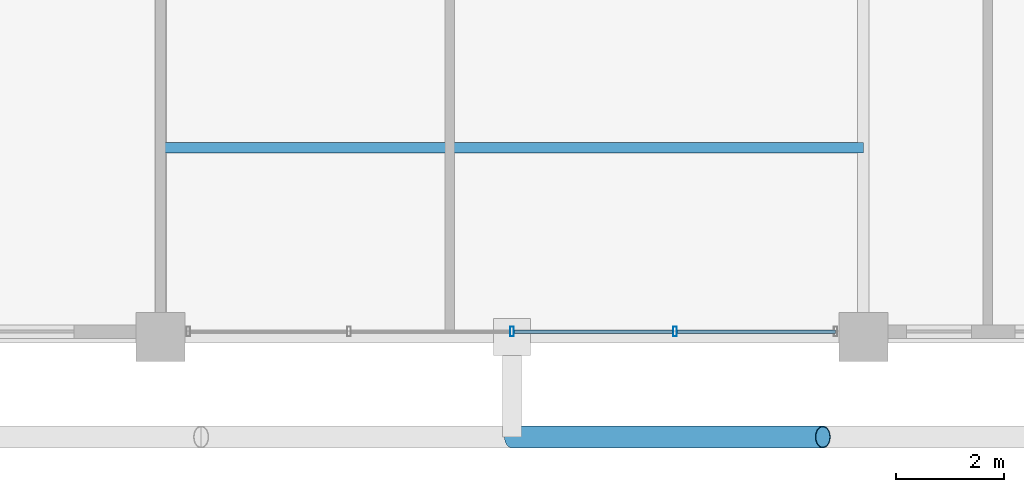
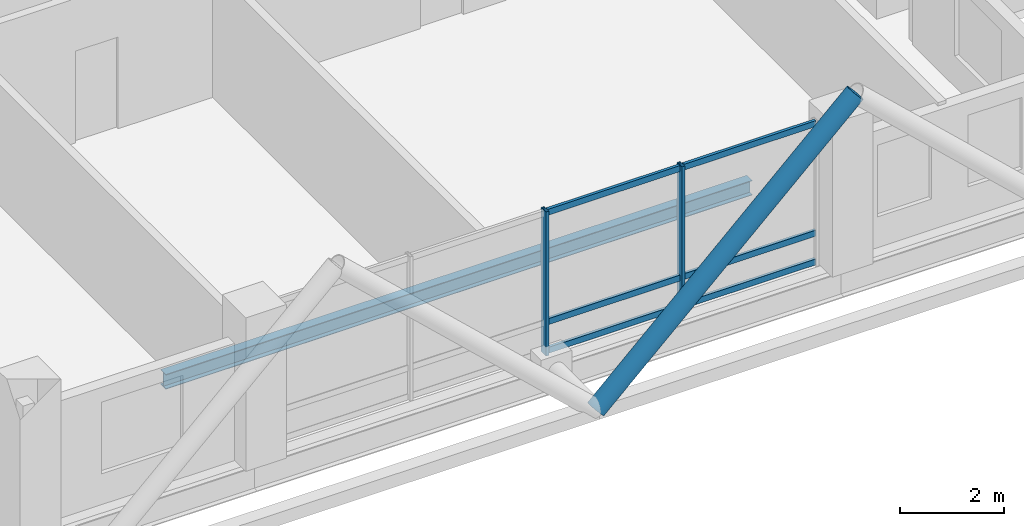
# One storey, part 5 of 24: 9 members, 1 beam, 1 element without a shape of its own.
"""IFC4 building model written with IfcOpenShell, lengths in metres."""

from ifc_helpers import new_model, si_unit, direction, frame, origin, origin_2d, place, context, subcontext, project, spatial, hollow_rectangle, hollow_circle, i_section, extrude, material, layer, layer_set, material_profile, profile_set, type_object, element, aggregate, save


model = new_model("IFC4")

# Units and contexts
model_context = context("Model", 3, precision=1e-05, world=origin(), true_north=direction((0.0, 1.0)))
body_context = subcontext(model_context, "Body", "Model", "MODEL_VIEW")
ifc_project = project(units=[si_unit("LENGTHUNIT", "METRE"), si_unit("AREAUNIT", "SQUARE_METRE"), si_unit("VOLUMEUNIT", "CUBIC_METRE"), si_unit("PLANEANGLEUNIT", "RADIAN"), si_unit("MASSUNIT", "GRAM", prefix="KILO")], contexts=[model_context])

# Site, building, storey
site_placement = place(None, origin())
site = spatial("IfcSite", under=ifc_project, at=site_placement, CompositionType="ELEMENT")
building_placement = place(site_placement, origin())
building = spatial("IfcBuilding", under=site, at=building_placement, Name="Barlavira Tower and Art Museum", CompositionType="ELEMENT")
storey_placement = place(building_placement, frame((0.0, 0.0, 251.10009765625)))
storey = spatial("IfcBuildingStorey", under=building, at=storey_placement, Name="L65", CompositionType="ELEMENT", Elevation=251.10009765625)

# Curtain wall, members
ifc_material_1 = material(Name="Low-iron coastal laminated glass", Category="glass")
ifc_layer = layer(ifc_material_1, 0.2099609375, Name="Low-iron coastal laminated glass")
ifc_layer_set = layer_set([ifc_layer], Name="Low-iron coastal laminated glass")
curtain_wall_type = type_object("IfcCurtainWallType", Name="Pale-Metal Unitised Curtain Wall Zone 4", PredefinedType="NOTDEFINED", material=ifc_layer_set)
curtain_wall_placement = place(storey_placement, origin())
curtain_wall = element("IfcCurtainWall", 1, at=curtain_wall_placement, inside=storey, type_object=curtain_wall_type, Name="L65 Curtain Wall CW4-L65-S-B2", PredefinedType="NOTDEFINED")
ifc_material_2 = material(Name="Pale anodised aluminium", Category="aluminium")
ifc_material_profile_1 = material_profile(ifc_material_2, hollow_rectangle(XDim=0.06494140625, YDim=0.179931640625, WallThickness=0.00390625, at=origin_2d()), Name="ALU-MULL 65x180x4")
ifc_profile_set_1 = profile_set([ifc_material_profile_1], Name="Pale anodised aluminium")
member_type_1 = type_object("IfcMemberType", Name="Curtain Wall Pale-Metal Mullion 65x180", PredefinedType="MULLION", material=ifc_profile_set_1)
member_1_placement = place(storey_placement, frame((0.0, -19.89990234375, 0.0), z_axis=(0.0, 0.0, 1.0), x_axis=(1.0, 0.0, 0.0)))
member_1 = element("IfcMember", 2, at=member_1_placement, type_object=member_type_1, Name="CW4-L65-S-B2 Mullion 2", PredefinedType="MULLION", context=body_context, shape_type="SweptSolid", body=[
    extrude(hollow_rectangle(XDim=0.06494140625, YDim=0.179931640625, WallThickness=0.00390625, at=origin_2d()), origin(), (0.0, 0.0, 1.0), 3.3798828125),
])
member_2_placement = place(storey_placement, frame((3.014892578125, -19.89990234375, 0.0), z_axis=(0.0, 0.0, 1.0), x_axis=(1.0, 0.0, 0.0)))
member_2 = element("IfcMember", 3, at=member_2_placement, type_object=member_type_1, Name="CW4-L65-S-B2 Mullion 3", PredefinedType="MULLION", context=body_context, shape_type="SweptSolid", body=[
    extrude(hollow_rectangle(XDim=0.06494140625, YDim=0.179931640625, WallThickness=0.00390625, at=origin_2d()), origin(), (0.0, 0.0, 1.0), 3.3798828125),
])
ifc_material_profile_2 = material_profile(ifc_material_2, hollow_rectangle(XDim=0.06494140625, YDim=0.139892578125, WallThickness=0.00390625, at=origin_2d()), Name="ALU-TRAN 65x140x4")
ifc_profile_set_2 = profile_set([ifc_material_profile_2], Name="Pale anodised aluminium")
member_type_2 = type_object("IfcMemberType", Name="Curtain Wall Pale-Metal Transom 65x140", PredefinedType="USERDEFINED", material=ifc_profile_set_2)
member_3_placement = place(storey_placement, frame((0.044921875, -19.89990234375, 0.06982421875), z_axis=(1.0, 0.0, 0.0), x_axis=(0.0, 1.0, 0.0)))
member_3 = element("IfcMember", 4, at=member_3_placement, type_object=member_type_2, Name="CW4-L65-S-B2 Transom 2.1", ObjectType="TRANSOM", PredefinedType="USERDEFINED", context=body_context, shape_type="SweptSolid", body=[
    extrude(hollow_rectangle(XDim=0.06494140625, YDim=0.139892578125, WallThickness=0.00390625, at=origin_2d()), origin(), (0.0, 0.0, 1.0), 2.925048828125),
])
member_4_placement = place(storey_placement, frame((0.044921875, -19.89990234375, 0.743896484375), z_axis=(1.0, 0.0, 0.0), x_axis=(0.0, 1.0, 0.0)))
member_4 = element("IfcMember", 5, at=member_4_placement, type_object=member_type_2, Name="CW4-L65-S-B2 Transom 2.2", ObjectType="TRANSOM", PredefinedType="USERDEFINED", context=body_context, shape_type="SweptSolid", body=[
    extrude(hollow_rectangle(XDim=0.06494140625, YDim=0.139892578125, WallThickness=0.00390625, at=origin_2d()), origin(), (0.0, 0.0, 1.0), 2.925048828125),
])
member_5_placement = place(storey_placement, frame((0.044921875, -19.89990234375, 3.309814453125), z_axis=(1.0, 0.0, 0.0), x_axis=(0.0, 1.0, 0.0)))
member_5 = element("IfcMember", 6, at=member_5_placement, type_object=member_type_2, Name="CW4-L65-S-B2 Transom 2.3", ObjectType="TRANSOM", PredefinedType="USERDEFINED", context=body_context, shape_type="SweptSolid", body=[
    extrude(hollow_rectangle(XDim=0.06494140625, YDim=0.139892578125, WallThickness=0.00390625, at=origin_2d()), origin(), (0.0, 0.0, 1.0), 2.925048828125),
])
member_6_placement = place(storey_placement, frame((3.06005859375, -19.89990234375, 0.06982421875), z_axis=(1.0, 0.0, 0.0), x_axis=(0.0, 1.0, 0.0)))
member_6 = element("IfcMember", 7, at=member_6_placement, type_object=member_type_2, Name="CW4-L65-S-B2 Transom 3.1", ObjectType="TRANSOM", PredefinedType="USERDEFINED", context=body_context, shape_type="SweptSolid", body=[
    extrude(hollow_rectangle(XDim=0.06494140625, YDim=0.139892578125, WallThickness=0.00390625, at=origin_2d()), origin(), (0.0, 0.0, 1.0), 2.925048828125),
])
member_7_placement = place(storey_placement, frame((3.06005859375, -19.89990234375, 0.743896484375), z_axis=(1.0, 0.0, 0.0), x_axis=(0.0, 1.0, 0.0)))
member_7 = element("IfcMember", 8, at=member_7_placement, type_object=member_type_2, Name="CW4-L65-S-B2 Transom 3.2", ObjectType="TRANSOM", PredefinedType="USERDEFINED", context=body_context, shape_type="SweptSolid", body=[
    extrude(hollow_rectangle(XDim=0.06494140625, YDim=0.139892578125, WallThickness=0.00390625, at=origin_2d()), origin(), (0.0, 0.0, 1.0), 2.925048828125),
])
member_8_placement = place(storey_placement, frame((3.06005859375, -19.89990234375, 3.309814453125), z_axis=(1.0, 0.0, 0.0), x_axis=(0.0, 1.0, 0.0)))
member_8 = element("IfcMember", 9, at=member_8_placement, type_object=member_type_2, Name="CW4-L65-S-B2 Transom 3.3", ObjectType="TRANSOM", PredefinedType="USERDEFINED", context=body_context, shape_type="SweptSolid", body=[
    extrude(hollow_rectangle(XDim=0.06494140625, YDim=0.139892578125, WallThickness=0.00390625, at=origin_2d()), origin(), (0.0, 0.0, 1.0), 2.925048828125),
])
aggregate(curtain_wall, [member_1, member_2, member_3, member_4, member_5, member_6, member_7, member_8])

# Member
ifc_material_3 = material(Name="Steel S355", Category="steel")
ifc_material_profile_3 = material_profile(ifc_material_3, hollow_circle(Radius=0.203125, WallThickness=0.01611328125, at=origin_2d()), Name="CHS 406.4x16.0")
ifc_profile_set_3 = profile_set([ifc_material_profile_3], Name="Steel S355")
member_type_3 = type_object("IfcMemberType", Name="Pale-Metal Exoskeleton Diagrid Tube CHS 406x16 Steel S355", PredefinedType="BRACE", material=ifc_profile_set_3)
member_9_placement = place(storey_placement, frame((0.0, -21.85009765625, -0.1201171875), z_axis=(0.728950095515, 0.0, 0.684566839869), x_axis=(0.0, 1.0, 0.0)))
element("IfcMember", 10, at=member_9_placement, inside=storey, type_object=member_type_3, Name="L65 Exoskeleton Diagrid Tube S", PredefinedType="BRACE", context=body_context, shape_type="SweptSolid", body=[
    extrude(hollow_circle(Radius=0.203125, WallThickness=0.01611328125, at=origin_2d()), origin(), (0.0, 0.0, 1.0), 7.887939453125),
])

# Beam
ifc_material_profile_4 = material_profile(ifc_material_3, i_section(OverallWidth=0.202880859375, OverallDepth=0.346923828125, WebThickness=0.0078125, FlangeThickness=0.013427734375, at=origin_2d()), Name="W360x64.0")
ifc_profile_set_4 = profile_set([ifc_material_profile_4], Name="Steel S355")
beam_type = type_object("IfcBeamType", Name="Zone 4 Composite Floor Joist W360x64 Steel S355", PredefinedType="JOIST", material=ifc_profile_set_4)
beam_placement = place(storey_placement, frame((-6.5, -16.5, -0.3935546875), z_axis=(1.0, 0.0, 0.0), x_axis=(0.0, 1.0, 0.0)))
element("IfcBeam", 11, at=beam_placement, inside=storey, type_object=beam_type, Name="L65 Joist C1", PredefinedType="JOIST", context=body_context, shape_type="SweptSolid", body=[
    extrude(i_section(OverallWidth=0.202880859375, OverallDepth=0.346923828125, WebThickness=0.0078125, FlangeThickness=0.013427734375, at=origin_2d()), origin(), (0.0, 0.0, 1.0), 13.0),
])

save(model, "model.ifc")
